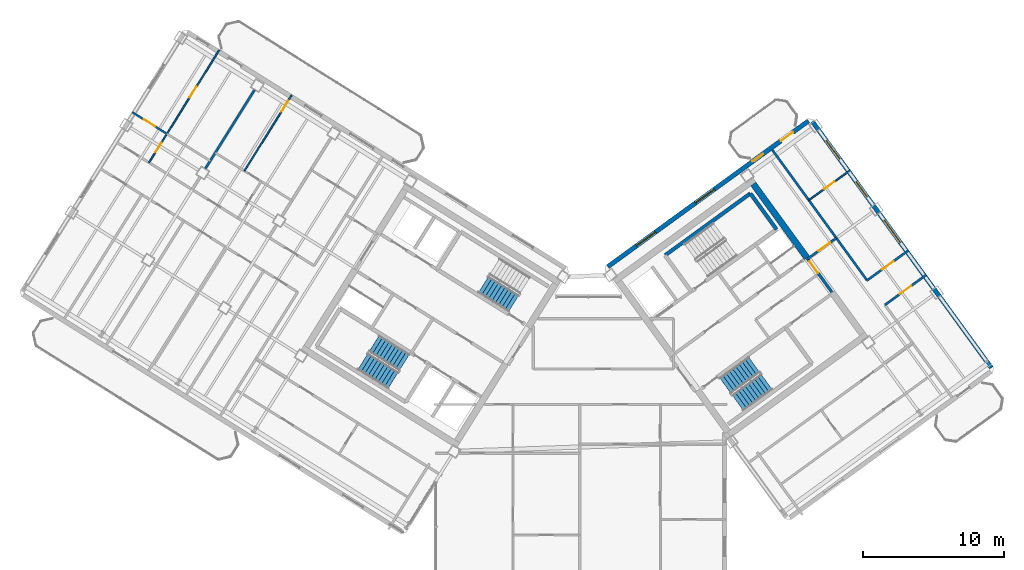
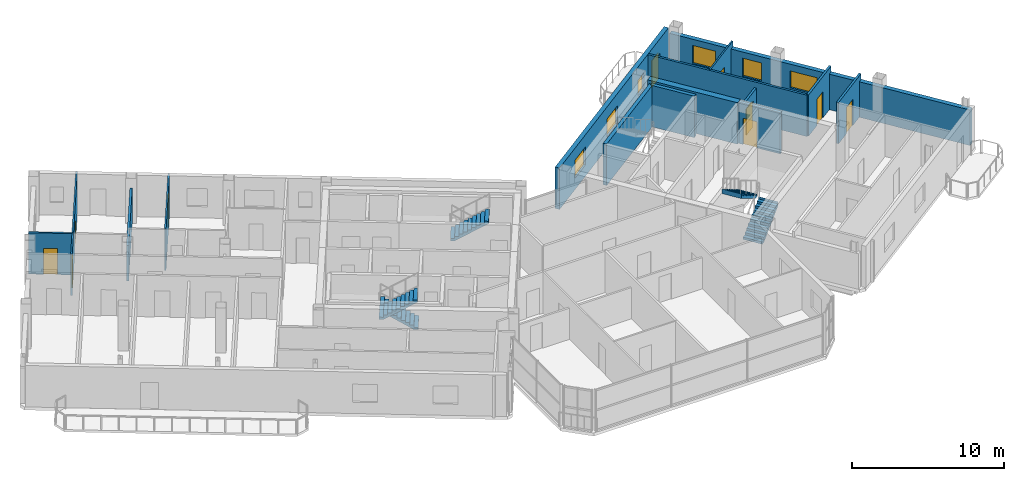
# One storey, part 20 of 25: 15 walls, 10 doors, 6 windows, 5 stair flights, 16 openings, 3 elements without a shape of their own.
"""IFC4 building model written with IfcOpenShell, lengths in metres."""

from ifc_helpers import new_model, si_unit, direction, frame, frame_2d, origin, place, context, subcontext, project, spatial, polyline, rectangle, outline, extrude, source, transform, mapped, material, layer, layer_set, type_object, element, fill, aggregate, save


model = new_model("IFC4")

# Units and contexts
model_context = context("Model", 3, precision=1e-05, world=origin(), true_north=direction((0.0, 1.0)))
body_context = subcontext(model_context, "Body", "Model", "MODEL_VIEW")
ifc_project = project(units=[si_unit("LENGTHUNIT", "METRE"), si_unit("AREAUNIT", "SQUARE_METRE"), si_unit("VOLUMEUNIT", "CUBIC_METRE"), si_unit("PLANEANGLEUNIT", "RADIAN"), si_unit("MASSUNIT", "GRAM", prefix="KILO")], contexts=[model_context])

# Site, building, storey
site_placement = place(None, origin())
site = spatial("IfcSite", under=ifc_project, at=site_placement, CompositionType="ELEMENT")
building_placement = place(site_placement, origin())
building = spatial("IfcBuilding", under=site, at=building_placement, Name="Tlacorven Tower", CompositionType="ELEMENT")
storey_placement = place(building_placement, frame((0.0, 0.0, 251.10009765625)))
storey = spatial("IfcBuildingStorey", under=building, at=storey_placement, Name="L63", CompositionType="ELEMENT", Elevation=251.10009765625)

# Walls
ifc_material_1 = material(Name="Concrete C50/60", Category="concrete")
ifc_layer_1 = layer(ifc_material_1, 0.449951171875)
ifc_layer_set_1 = layer_set([ifc_layer_1], Name="Concrete C50/60")
wall_type_1 = type_object("IfcWallType", Name="WL-COR-450", PredefinedType="SHEAR", material=ifc_layer_set_1)
wall_1_placement = place(storey_placement, frame((58.06396484375, 25.8134765625, 0.0), z_axis=(0.0, 0.0, 1.0), x_axis=(-0.587774812919, 0.809024578921, 0.0)))
element("IfcWall", 1, at=wall_1_placement, inside=storey, type_object=wall_type_1, Name="L63 E core end wall E2.2", PredefinedType="SHEAR", context=body_context, shape_type="SweptSolid", body=[
    extrude(rectangle(XDim=6.47509765625, YDim=0.449951171875, at=frame_2d((3.237548828125, 0.0))), origin(), (0.0, 0.0, 1.0), 3.31982421875),
])
ifc_material_2 = material(Name="Gypsum plasterboard acoustic partition", Category="gypsum")
ifc_layer_2 = layer(ifc_material_2, 0.159912109375)
ifc_layer_set_2 = layer_set([ifc_layer_2], Name="Gypsum plasterboard acoustic partition")
wall_type_2 = type_object("IfcWallType", Name="WL-DEM-160", PredefinedType="PARTITIONING", material=ifc_layer_set_2)
wall_2_placement = place(storey_placement, frame((18.881103515625, 37.727294921875, 0.0), z_axis=(0.0, 0.0, 1.0), x_axis=(-0.529938869374, -0.84803584519, 0.0)))
element("IfcWall", 2, at=wall_2_placement, inside=storey, type_object=wall_type_2, Name="L63 WS Demising Wall 2", PredefinedType="PARTITIONING", context=body_context, shape_type="SweptSolid", body=[
    extrude(rectangle(XDim=6.575927734375, YDim=0.159912109375, at=frame_2d((3.2880859375, 0.0))), origin(), (0.0, 0.0, 1.0), 2.844970703125),
])

# Wall, opening, door
wall_3_placement = place(storey_placement, frame((58.111083984375, 25.748779296875, 0.0), z_axis=(0.0, 0.0, 1.0), x_axis=(0.809000999347, 0.58780726693, 0.0)))
wall_3 = element("IfcWall", 3, at=wall_3_placement, inside=storey, type_object=wall_type_2, Name="L63 partition 79", PredefinedType="PARTITIONING", context=body_context, shape_type="SweptSolid", body=[
    extrude(rectangle(XDim=2.510009765625, YDim=0.159912109375, at=frame_2d((1.2548828125, 0.0))), origin(), (0.0, 0.0, 1.0), 2.844970703125),
])
opening_1_placement = place(wall_3_placement, frame((0.949951171875, 0.0, 0.0)))
opening_1 = element("IfcOpeningElement", 4, at=opening_1_placement, cuts=wall_3, Name="Opening D11", PredefinedType="OPENING", context=body_context, shape_type="SweptSolid", body=[
    extrude(rectangle(XDim=1.0, YDim=2.10009765625, at=frame_2d((0.5, 1.050048828125))), frame((0.0, 0.08984375, 0.0), z_axis=(0.0, -1.0, 0.0), x_axis=(1.0, 0.0, 0.0)), (0.0, 0.0, 1.0), 0.179931640625),
])
ifc_material_3 = material(Name="Fire-rated steel door assembly", Category="steel")
door_type_1 = type_object("IfcDoorType", Name="DR-FLT-FD60-1000", OperationType="NOTDEFINED", PredefinedType="DOOR", material=ifc_material_3)
shared_shape_1 = source(origin(), body_context, "Body", "SweptSolid", [
    extrude(rectangle(XDim=1.0, YDim=2.10009765625, at=frame_2d((0.5, 1.050048828125))), frame((0.0, 0.02490234375, 0.0), z_axis=(0.0, -1.0, 0.0), x_axis=(1.0, 0.0, 0.0)), (0.0, 0.0, 1.0), 0.050048828125),
])
door_1_placement = place(opening_1_placement, origin())
door_1 = element("IfcDoor", 5, at=door_1_placement, inside=storey, type_object=door_type_1, Name="L63 door 053", OperationType="SINGLE_SWING_LEFT", OverallHeight=2.10009765625, OverallWidth=1.0, PredefinedType="DOOR", context=body_context, shape_type="MappedRepresentation", body=[
    mapped(shared_shape_1, transform((0.0, 0.0, 0.0), scale=1.0)),
])
fill(opening_1, door_1)

# Wall
wall_4_placement = place(storey_placement, frame((62.328125, 24.214599609375, 0.0), z_axis=(0.0, 0.0, 1.0), x_axis=(-0.587778600963, 0.809021826807, 0.0)))
element("IfcWall", 6, at=wall_4_placement, inside=storey, type_object=wall_type_2, Name="L63 partition 81", PredefinedType="PARTITIONING", context=body_context, shape_type="SweptSolid", body=[
    extrude(rectangle(XDim=11.449951171875, YDim=0.159912109375, at=frame_2d((5.72509765625, 0.0))), origin(), (0.0, 0.0, 1.0), 3.309814453125),
])

# Wall, opening, door
wall_5_placement = place(storey_placement, frame((63.592041015625, 22.475341796875, 0.0), z_axis=(0.0, 0.0, 1.0), x_axis=(0.809035546126, 0.58775971715, 0.0)))
wall_5 = element("IfcWall", 7, at=wall_5_placement, inside=storey, type_object=wall_type_2, Name="L63 partition 83", PredefinedType="PARTITIONING", context=body_context, shape_type="SweptSolid", body=[
    extrude(rectangle(XDim=3.6298828125, YDim=0.159912109375, at=frame_2d((1.81494140625, 0.0))), origin(), (0.0, 0.0, 1.0), 3.309814453125),
])
opening_2_placement = place(wall_5_placement, frame((1.304931640625, 0.0, 0.0)))
opening_2 = element("IfcOpeningElement", 8, at=opening_2_placement, cuts=wall_5, Name="Opening D11", PredefinedType="OPENING", context=body_context, shape_type="SweptSolid", body=[
    extrude(rectangle(XDim=1.0, YDim=2.10009765625, at=frame_2d((0.5, 1.050048828125))), frame((0.0, 0.08984375, 0.0), z_axis=(0.0, -1.0, 0.0), x_axis=(1.0, 0.0, 0.0)), (0.0, 0.0, 1.0), 0.179931640625),
])
door_2_placement = place(opening_2_placement, origin())
door_2 = element("IfcDoor", 9, at=door_2_placement, inside=storey, type_object=door_type_1, Name="L63 door 057", OperationType="SINGLE_SWING_LEFT", OverallHeight=2.10009765625, OverallWidth=1.0, PredefinedType="DOOR", context=body_context, shape_type="MappedRepresentation", body=[
    mapped(shared_shape_1, transform((0.0, 0.0, 0.0), scale=1.0)),
])
fill(opening_2, door_2)

wall_6_placement = place(storey_placement, frame((62.328125, 24.214599609375, 0.0), z_axis=(0.0, 0.0, 1.0), x_axis=(0.809003564202, 0.587803736896, 0.0)))
wall_6 = element("IfcWall", 10, at=wall_6_placement, inside=storey, type_object=wall_type_2, Name="L63 partition 84", PredefinedType="PARTITIONING", context=body_context, shape_type="SweptSolid", body=[
    extrude(rectangle(XDim=3.630126953125, YDim=0.159912109375, at=frame_2d((1.81494140625, 0.0))), origin(), (0.0, 0.0, 1.0), 3.309814453125),
])
opening_3_placement = place(wall_6_placement, frame((1.304931640625, 0.0, 0.0)))
opening_3 = element("IfcOpeningElement", 11, at=opening_3_placement, cuts=wall_6, Name="Opening D11", PredefinedType="OPENING", context=body_context, shape_type="SweptSolid", body=[
    extrude(rectangle(XDim=1.0, YDim=2.10009765625, at=frame_2d((0.5, 1.050048828125))), frame((0.0, 0.08984375, 0.0), z_axis=(0.0, -1.0, 0.0), x_axis=(1.0, 0.0, 0.0)), (0.0, 0.0, 1.0), 0.179931640625),
])
door_3_placement = place(opening_3_placement, origin())
door_3 = element("IfcDoor", 12, at=door_3_placement, inside=storey, type_object=door_type_1, Name="L63 door 055", OperationType="SINGLE_SWING_LEFT", OverallHeight=2.10009765625, OverallWidth=1.0, PredefinedType="DOOR", context=body_context, shape_type="MappedRepresentation", body=[
    mapped(shared_shape_1, transform((0.0, 0.0, 0.0), scale=1.0)),
])
fill(opening_3, door_3)

# Wall, openings, door, windows
ifc_material_4 = material(Name="Precast concrete C45/55", Category="concrete")
ifc_layer_3 = layer(ifc_material_4, 0.320068359375)
ifc_layer_set_3 = layer_set([ifc_layer_3], Name="Precast concrete C45/55")
wall_type_3 = type_object("IfcWallType", Name="WL-EXT-320", PredefinedType="STANDARD", material=ifc_layer_set_3)
wall_7_placement = place(storey_placement, frame((43.93798828125, 25.191650390625, 0.0), z_axis=(0.0, 0.0, 1.0), x_axis=(0.809016324578, 0.587786174187, 0.0)))
wall_7 = element("IfcWall", 13, at=wall_7_placement, inside=storey, type_object=wall_type_3, Name="L63 Masonry-Frame Recessed Facade Wall 4", PredefinedType="STANDARD", context=body_context, shape_type="SweptSolid", body=[
    extrude(rectangle(XDim=17.58740234375, YDim=0.320068359375, at=frame_2d((8.793701171875, 0.0))), origin(), (0.0, 0.0, 1.0), 3.31982421875),
])
opening_4_placement = place(wall_7_placement, frame((15.17626953125, 0.0, 0.0)))
opening_4 = element("IfcOpeningElement", 14, at=opening_4_placement, cuts=wall_7, Name="Opening D06", PredefinedType="OPENING", context=body_context, shape_type="SweptSolid", body=[
    extrude(rectangle(XDim=1.050048828125, YDim=2.14990234375, at=frame_2d((0.52490234375, 1.074951171875))), frame((0.0, 0.169921875, 0.0), z_axis=(0.0, -1.0, 0.0), x_axis=(1.0, 0.0, 0.0)), (0.0, 0.0, 1.0), 0.340087890625),
])
opening_5_placement = place(wall_7_placement, frame((2.5224609375, 0.0, 0.89990234375)))
opening_5 = element("IfcOpeningElement", 15, at=opening_5_placement, cuts=wall_7, Name="Opening WN07", PredefinedType="OPENING", context=body_context, shape_type="SweptSolid", body=[
    extrude(rectangle(XDim=1.64990234375, YDim=1.449951171875, at=frame_2d((0.824951171875, 0.72509765625))), frame((0.0, 0.169921875, 0.0), z_axis=(0.0, -1.0, 0.0), x_axis=(1.0, 0.0, 0.0)), (0.0, 0.0, 1.0), 0.340087890625),
])
opening_6_placement = place(wall_7_placement, frame((7.6865234375, 0.0, 0.89990234375)))
opening_6 = element("IfcOpeningElement", 16, at=opening_6_placement, cuts=wall_7, Name="Opening WN07", PredefinedType="OPENING", context=body_context, shape_type="SweptSolid", body=[
    extrude(rectangle(XDim=1.64990234375, YDim=1.449951171875, at=frame_2d((0.824951171875, 0.72509765625))), frame((0.0, 0.169921875, 0.0), z_axis=(0.0, -1.0, 0.0), x_axis=(1.0, 0.0, 0.0)), (0.0, 0.0, 1.0), 0.340087890625),
])
opening_7_placement = place(wall_7_placement, frame((12.68359375, 0.0, 1.0)))
opening_7 = element("IfcOpeningElement", 17, at=opening_7_placement, cuts=wall_7, Name="Opening WN05", PredefinedType="OPENING", context=body_context, shape_type="SweptSolid", body=[
    extrude(rectangle(XDim=0.89990234375, YDim=1.25, at=frame_2d((0.449951171875, 0.625))), frame((0.0, 0.169921875, 0.0), z_axis=(0.0, -1.0, 0.0), x_axis=(1.0, 0.0, 0.0)), (0.0, 0.0, 1.0), 0.340087890625),
])
ifc_material_5 = material(Name="Powder-coated aluminium and timber door", Category="wood")
door_type_2 = type_object("IfcDoorType", Name="DR-EXT-BALC-1050", OperationType="NOTDEFINED", PredefinedType="DOOR", material=ifc_material_5)
shared_shape_2 = source(origin(), body_context, "Body", "SweptSolid", [
    extrude(rectangle(XDim=1.050048828125, YDim=2.14990234375, at=frame_2d((0.52490234375, 1.074951171875))), frame((0.0, 0.02490234375, 0.0), z_axis=(0.0, -1.0, 0.0), x_axis=(1.0, 0.0, 0.0)), (0.0, 0.0, 1.0), 0.050048828125),
])
door_4_placement = place(opening_4_placement, origin())
door_4 = element("IfcDoor", 18, at=door_4_placement, inside=storey, type_object=door_type_2, Name="L63 Outdoor Access Door BAL-L63-E-IN", OperationType="SINGLE_SWING_RIGHT", OverallHeight=2.14990234375, OverallWidth=1.050048828125, PredefinedType="DOOR", context=body_context, shape_type="MappedRepresentation", body=[
    mapped(shared_shape_2, transform((0.0, 0.0, 0.0), scale=1.0)),
])
fill(opening_4, door_4)
ifc_material_6 = material(Name="Dark solar low-E double glazing in anodised aluminium frame", Category="aluminium")
window_type_1 = type_object("IfcWindowType", Name="WN-APT-0900X1350", PartitioningType="SINGLE_PANEL", PredefinedType="WINDOW", material=ifc_material_6)
shared_shape_3 = source(origin(), body_context, "Body", "SweptSolid", [
    extrude(rectangle(XDim=0.89990234375, YDim=1.25, at=frame_2d((0.449951171875, 0.625))), frame((0.0, 0.030029296875, 0.0), z_axis=(0.0, -1.0, 0.0), x_axis=(1.0, 0.0, 0.0)), (0.0, 0.0, 1.0), 0.06005859375),
])
window_1_placement = place(opening_7_placement, origin())
window_1 = element("IfcWindow", 19, at=window_1_placement, inside=storey, type_object=window_type_1, Name="L63 Recessed Masonry-Frame Window L63-04.3", OverallHeight=1.25, OverallWidth=0.89990234375, PartitioningType="SINGLE_PANEL", PredefinedType="WINDOW", context=body_context, shape_type="MappedRepresentation", body=[
    mapped(shared_shape_3, transform((0.0, 0.0, 0.0), scale=1.0)),
])
fill(opening_7, window_1)
window_type_2 = type_object("IfcWindowType", Name="WN-APT-1650X1600", PartitioningType="SINGLE_PANEL", PredefinedType="WINDOW", material=ifc_material_6)
shared_shape_4 = source(origin(), body_context, "Body", "SweptSolid", [
    extrude(rectangle(XDim=1.64990234375, YDim=1.449951171875, at=frame_2d((0.824951171875, 0.72509765625))), frame((0.0, 0.030029296875, 0.0), z_axis=(0.0, -1.0, 0.0), x_axis=(1.0, 0.0, 0.0)), (0.0, 0.0, 1.0), 0.06005859375),
])
window_2_placement = place(opening_5_placement, origin())
window_2 = element("IfcWindow", 20, at=window_2_placement, inside=storey, type_object=window_type_2, Name="L63 Recessed Masonry-Frame Window L63-04.1", OverallHeight=1.449951171875, OverallWidth=1.64990234375, PartitioningType="SINGLE_PANEL", PredefinedType="WINDOW", context=body_context, shape_type="MappedRepresentation", body=[
    mapped(shared_shape_4, transform((0.0, 0.0, 0.0), scale=1.0)),
])
fill(opening_5, window_2)
window_3_placement = place(opening_6_placement, origin())
window_3 = element("IfcWindow", 21, at=window_3_placement, inside=storey, type_object=window_type_2, Name="L63 Recessed Masonry-Frame Window L63-04.2", OverallHeight=1.449951171875, OverallWidth=1.64990234375, PartitioningType="SINGLE_PANEL", PredefinedType="WINDOW", context=body_context, shape_type="MappedRepresentation", body=[
    mapped(shared_shape_4, transform((0.0, 0.0, 0.0), scale=1.0)),
])
fill(opening_6, window_3)

# Wall, openings, windows
wall_8_placement = place(storey_placement, frame((58.45458984375, 35.483642578125, 0.0), z_axis=(0.0, 0.0, 1.0), x_axis=(0.587783625747, -0.809018176127, 0.0)))
wall_8 = element("IfcWall", 22, at=wall_8_placement, inside=storey, type_object=wall_type_3, Name="L63 Masonry-Frame Recessed Facade Wall 5", PredefinedType="STANDARD", context=body_context, shape_type="SweptSolid", body=[
    extrude(rectangle(XDim=21.58740234375, YDim=0.320068359375, at=frame_2d((10.793701171875, 0.0))), origin(), (0.0, 0.0, 1.0), 2.844970703125),
])
opening_8_placement = place(wall_8_placement, frame((1.650146484375, 0.0, 0.89990234375)))
opening_8 = element("IfcOpeningElement", 23, at=opening_8_placement, cuts=wall_8, Name="Opening WN07", PredefinedType="OPENING", context=body_context, shape_type="SweptSolid", body=[
    extrude(rectangle(XDim=1.64990234375, YDim=1.449951171875, at=frame_2d((0.824951171875, 0.72509765625))), frame((0.0, 0.169921875, 0.0), z_axis=(0.0, -1.0, 0.0), x_axis=(1.0, 0.0, 0.0)), (0.0, 0.0, 1.0), 0.340087890625),
])
opening_9_placement = place(wall_8_placement, frame((5.255126953125, 0.0, 0.89990234375)))
opening_9 = element("IfcOpeningElement", 24, at=opening_9_placement, cuts=wall_8, Name="Opening WN08", PredefinedType="OPENING", context=body_context, shape_type="SweptSolid", body=[
    extrude(rectangle(XDim=1.35009765625, YDim=1.449951171875, at=frame_2d((0.675048828125, 0.72509765625))), frame((0.0, 0.169921875, 0.0), z_axis=(0.0, -1.0, 0.0), x_axis=(1.0, 0.0, 0.0)), (0.0, 0.0, 1.0), 0.340087890625),
])
opening_10_placement = place(wall_8_placement, frame((8.65380859375, 0.0, 0.949951171875)))
opening_10 = element("IfcOpeningElement", 25, at=opening_10_placement, cuts=wall_8, Name="Opening WN09", PredefinedType="OPENING", context=body_context, shape_type="SweptSolid", body=[
    extrude(rectangle(XDim=1.949951171875, YDim=1.35009765625, at=frame_2d((0.97509765625, 0.675048828125))), frame((0.0, 0.169921875, 0.0), z_axis=(0.0, -1.0, 0.0), x_axis=(1.0, 0.0, 0.0)), (0.0, 0.0, 1.0), 0.340087890625),
])
window_4_placement = place(opening_8_placement, origin())
window_4 = element("IfcWindow", 26, at=window_4_placement, inside=storey, type_object=window_type_2, Name="L63 Recessed Masonry-Frame Window L63-05.1", OverallHeight=1.449951171875, OverallWidth=1.64990234375, PartitioningType="SINGLE_PANEL", PredefinedType="WINDOW", context=body_context, shape_type="MappedRepresentation", body=[
    mapped(shared_shape_4, transform((0.0, 0.0, 0.0), scale=1.0)),
])
fill(opening_8, window_4)
window_type_3 = type_object("IfcWindowType", Name="WN-APT-1350X1550", PartitioningType="SINGLE_PANEL", PredefinedType="WINDOW", material=ifc_material_6)
shared_shape_5 = source(origin(), body_context, "Body", "SweptSolid", [
    extrude(rectangle(XDim=1.35009765625, YDim=1.449951171875, at=frame_2d((0.675048828125, 0.72509765625))), frame((0.0, 0.030029296875, 0.0), z_axis=(0.0, -1.0, 0.0), x_axis=(1.0, 0.0, 0.0)), (0.0, 0.0, 1.0), 0.06005859375),
])
window_5_placement = place(opening_9_placement, origin())
window_5 = element("IfcWindow", 27, at=window_5_placement, inside=storey, type_object=window_type_3, Name="L63 Recessed Masonry-Frame Window L63-05.2", OverallHeight=1.449951171875, OverallWidth=1.35009765625, PartitioningType="SINGLE_PANEL", PredefinedType="WINDOW", context=body_context, shape_type="MappedRepresentation", body=[
    mapped(shared_shape_5, transform((0.0, 0.0, 0.0), scale=1.0)),
])
fill(opening_9, window_5)
window_type_4 = type_object("IfcWindowType", Name="WN-GAL-1950X1450", PartitioningType="SINGLE_PANEL", PredefinedType="WINDOW", material=ifc_material_6)
shared_shape_6 = source(origin(), body_context, "Body", "SweptSolid", [
    extrude(rectangle(XDim=1.949951171875, YDim=1.35009765625, at=frame_2d((0.97509765625, 0.675048828125))), frame((0.0, 0.030029296875, 0.0), z_axis=(0.0, -1.0, 0.0), x_axis=(1.0, 0.0, 0.0)), (0.0, 0.0, 1.0), 0.06005859375),
])
window_6_placement = place(opening_10_placement, origin())
window_6 = element("IfcWindow", 28, at=window_6_placement, inside=storey, type_object=window_type_4, Name="L63 Recessed Masonry-Frame Window L63-05.3", OverallHeight=1.35009765625, OverallWidth=1.949951171875, PartitioningType="SINGLE_PANEL", PredefinedType="WINDOW", context=body_context, shape_type="MappedRepresentation", body=[
    mapped(shared_shape_6, transform((0.0, 0.0, 0.0), scale=1.0)),
])
fill(opening_10, window_6)

# Wall, opening, door
ifc_material_7 = material(Name="Gypsum plasterboard partition", Category="gypsum")
ifc_layer_4 = layer(ifc_material_7, 0.110107421875)
ifc_layer_set_4 = layer_set([ifc_layer_4], Name="Gypsum plasterboard partition")
wall_type_4 = type_object("IfcWallType", Name="WL-INT-110", PredefinedType="PARTITIONING", material=ifc_layer_set_4)
wall_9_placement = place(storey_placement, frame((21.516845703125, 37.356201171875, 0.0), z_axis=(0.0, 0.0, 1.0), x_axis=(-0.529905479715, -0.848056709524, 0.0)))
wall_9 = element("IfcWall", 29, at=wall_9_placement, inside=storey, type_object=wall_type_4, Name="L63 partition 52", PredefinedType="PARTITIONING", context=body_context, shape_type="SweptSolid", body=[
    extrude(rectangle(XDim=6.340087890625, YDim=0.110107421875, at=frame_2d((3.169921875, 0.0))), origin(), (0.0, 0.0, 1.0), 3.309814453125),
])
opening_11_placement = place(wall_9_placement, frame((0.469970703125, 0.0, 0.0)))
opening_11 = element("IfcOpeningElement", 30, at=opening_11_placement, cuts=wall_9, Name="Opening D12", PredefinedType="OPENING", context=body_context, shape_type="SweptSolid", body=[
    extrude(rectangle(XDim=0.919921875, YDim=2.080078125, at=frame_2d((0.4599609375, 1.0400390625))), frame((0.0, 0.06494140625, 0.0), z_axis=(0.0, -1.0, 0.0), x_axis=(1.0, 0.0, 0.0)), (0.0, 0.0, 1.0), 0.130126953125),
])
door_type_3 = type_object("IfcDoorType", Name="DR-INT-ROOM-0920", OperationType="NOTDEFINED", PredefinedType="DOOR", material=ifc_material_5)
shared_shape_7 = source(origin(), body_context, "Body", "SweptSolid", [
    extrude(rectangle(XDim=0.919921875, YDim=2.080078125, at=frame_2d((0.4599609375, 1.0400390625))), frame((0.0, 0.02490234375, 0.0), z_axis=(0.0, -1.0, 0.0), x_axis=(1.0, 0.0, 0.0)), (0.0, 0.0, 1.0), 0.050048828125),
])
door_5_placement = place(opening_11_placement, origin())
door_5 = element("IfcDoor", 31, at=door_5_placement, inside=storey, type_object=door_type_3, Name="L63 door 028", OperationType="SINGLE_SWING_RIGHT", OverallHeight=2.080078125, OverallWidth=0.919921875, PredefinedType="DOOR", context=body_context, shape_type="MappedRepresentation", body=[
    mapped(shared_shape_7, transform((0.0, 0.0, 0.0), scale=1.0)),
])
fill(opening_11, door_5)

# Wall, openings, doors
wall_10_placement = place(storey_placement, frame((16.384521484375, 40.563232421875, 0.0), z_axis=(0.0, 0.0, 1.0), x_axis=(-0.529931378574, -0.848040526156, 0.0)))
wall_10 = element("IfcWall", 32, at=wall_10_placement, inside=storey, type_object=wall_type_4, Name="L63 partition 53", PredefinedType="PARTITIONING", context=body_context, shape_type="SweptSolid", body=[
    extrude(rectangle(XDim=9.419921875, YDim=0.110107421875, at=frame_2d((4.7099609375, 0.0))), origin(), (0.0, 0.0, 1.0), 3.309814453125),
])
opening_12_placement = place(wall_10_placement, frame((7.780029296875, 0.0, 0.0)))
opening_12 = element("IfcOpeningElement", 33, at=opening_12_placement, cuts=wall_10, Name="Opening D22", PredefinedType="OPENING", context=body_context, shape_type="SweptSolid", body=[
    extrude(rectangle(XDim=0.780029296875, YDim=2.050048828125, at=frame_2d((0.39013671875, 1.02490234375))), frame((0.0, 0.06494140625, 0.0), z_axis=(0.0, -1.0, 0.0), x_axis=(1.0, 0.0, 0.0)), (0.0, 0.0, 1.0), 0.130126953125),
])
opening_13_placement = place(wall_10_placement, frame((3.050048828125, 0.0, 0.0)))
opening_13 = element("IfcOpeningElement", 34, at=opening_13_placement, cuts=wall_10, Name="Opening D12", PredefinedType="OPENING", context=body_context, shape_type="SweptSolid", body=[
    extrude(rectangle(XDim=0.919921875, YDim=2.080078125, at=frame_2d((0.4599609375, 1.0400390625))), frame((0.0, 0.06494140625, 0.0), z_axis=(0.0, -1.0, 0.0), x_axis=(1.0, 0.0, 0.0)), (0.0, 0.0, 1.0), 0.130126953125),
])
door_type_4 = type_object("IfcDoorType", Name="DR-INT-WET-0780", OperationType="NOTDEFINED", PredefinedType="DOOR", material=ifc_material_5)
shared_shape_8 = source(origin(), body_context, "Body", "SweptSolid", [
    extrude(rectangle(XDim=0.780029296875, YDim=2.050048828125, at=frame_2d((0.39013671875, 1.02490234375))), frame((0.0, 0.02490234375, 0.0), z_axis=(0.0, -1.0, 0.0), x_axis=(1.0, 0.0, 0.0)), (0.0, 0.0, 1.0), 0.050048828125),
])
door_6_placement = place(opening_12_placement, origin())
door_6 = element("IfcDoor", 35, at=door_6_placement, inside=storey, type_object=door_type_4, Name="L63 door 035", OperationType="SINGLE_SWING_LEFT", OverallHeight=2.050048828125, OverallWidth=0.780029296875, PredefinedType="DOOR", context=body_context, shape_type="MappedRepresentation", body=[
    mapped(shared_shape_8, transform((0.0, 0.0, 0.0), scale=1.0)),
])
fill(opening_12, door_6)
door_7_placement = place(opening_13_placement, origin())
door_7 = element("IfcDoor", 36, at=door_7_placement, inside=storey, type_object=door_type_3, Name="L63 door 036", OperationType="SINGLE_SWING_RIGHT", OverallHeight=2.080078125, OverallWidth=0.919921875, PredefinedType="DOOR", context=body_context, shape_type="MappedRepresentation", body=[
    mapped(shared_shape_7, transform((0.0, 0.0, 0.0), scale=1.0)),
])
fill(opening_13, door_7)

# Wall, opening, door
wall_11_placement = place(storey_placement, frame((58.19482421875, 29.903564453125, 0.0), z_axis=(0.0, 0.0, 1.0), x_axis=(0.809005039917, 0.58780170584, 0.0)))
wall_11 = element("IfcWall", 37, at=wall_11_placement, inside=storey, type_object=wall_type_4, Name="L63 partition 85", PredefinedType="PARTITIONING", context=body_context, shape_type="SweptSolid", body=[
    extrude(rectangle(XDim=3.610107421875, YDim=0.110107421875, at=frame_2d((1.80517578125, 0.0))), origin(), (0.0, 0.0, 1.0), 3.309814453125),
])
opening_14_placement = place(wall_11_placement, frame((1.344970703125, 0.0, 0.0)))
opening_14 = element("IfcOpeningElement", 38, at=opening_14_placement, cuts=wall_11, Name="Opening D12", PredefinedType="OPENING", context=body_context, shape_type="SweptSolid", body=[
    extrude(rectangle(XDim=0.919921875, YDim=2.080078125, at=frame_2d((0.4599609375, 1.0400390625))), frame((0.0, 0.06494140625, 0.0), z_axis=(0.0, -1.0, 0.0), x_axis=(1.0, 0.0, 0.0)), (0.0, 0.0, 1.0), 0.130126953125),
])
door_8_placement = place(opening_14_placement, origin())
door_8 = element("IfcDoor", 39, at=door_8_placement, inside=storey, type_object=door_type_3, Name="L63 door 056", OperationType="SINGLE_SWING_RIGHT", OverallHeight=2.080078125, OverallWidth=0.919921875, PredefinedType="DOOR", context=body_context, shape_type="MappedRepresentation", body=[
    mapped(shared_shape_7, transform((0.0, 0.0, 0.0), scale=1.0)),
])
fill(opening_14, door_8)

ifc_material_8 = material(Name="Moisture-resistant gypsum plumbing wall", Category="gypsum")
ifc_layer_5 = layer(ifc_material_8, 0.139892578125)
ifc_layer_set_5 = layer_set([ifc_layer_5], Name="Moisture-resistant gypsum plumbing wall")
wall_type_5 = type_object("IfcWallType", Name="WL-PLM-140", PredefinedType="PLUMBINGWALL", material=ifc_layer_set_5)
wall_12_placement = place(storey_placement, frame((12.66455078125, 34.60986328125, 0.0), z_axis=(0.0, 0.0, 1.0), x_axis=(-0.848045593671, 0.529923269025, 0.0)))
wall_12 = element("IfcWall", 40, at=wall_12_placement, inside=storey, type_object=wall_type_5, Name="L63 partition 55", PredefinedType="PLUMBINGWALL", context=body_context, shape_type="SweptSolid", body=[
    extrude(rectangle(XDim=2.900146484375, YDim=0.139892578125, at=frame_2d((1.4501953125, 0.0))), origin(), (0.0, 0.0, 1.0), 3.309814453125),
])
opening_15_placement = place(wall_12_placement, frame((0.989990234375, 0.0, 0.0)))
opening_15 = element("IfcOpeningElement", 41, at=opening_15_placement, cuts=wall_12, Name="Opening D12", PredefinedType="OPENING", context=body_context, shape_type="SweptSolid", body=[
    extrude(rectangle(XDim=0.919921875, YDim=2.080078125, at=frame_2d((0.4599609375, 1.0400390625))), frame((0.0, 0.080078125, 0.0), z_axis=(0.0, -1.0, 0.0), x_axis=(1.0, 0.0, 0.0)), (0.0, 0.0, 1.0), 0.159912109375),
])
door_9_placement = place(opening_15_placement, origin())
door_9 = element("IfcDoor", 42, at=door_9_placement, inside=storey, type_object=door_type_3, Name="L63 door 034", OperationType="SINGLE_SWING_LEFT", OverallHeight=2.080078125, OverallWidth=0.919921875, PredefinedType="DOOR", context=body_context, shape_type="MappedRepresentation", body=[
    mapped(shared_shape_7, transform((0.0, 0.0, 0.0), scale=1.0)),
])
fill(opening_15, door_9)

ifc_material_9 = material(Name="Concrete C40/50", Category="concrete")
ifc_layer_6 = layer(ifc_material_9, 0.199951171875)
ifc_layer_set_6 = layer_set([ifc_layer_6], Name="Concrete C40/50")
wall_type_6 = type_object("IfcWallType", Name="WL-SHF-200", PredefinedType="STANDARD", material=ifc_layer_set_6)
wall_13_placement = place(storey_placement, frame((59.827392578125, 23.386474609375, 0.0), z_axis=(0.0, 0.0, 1.0), x_axis=(-0.587803840107, 0.809003489211, 0.0)))
wall_13 = element("IfcWall", 43, at=wall_13_placement, inside=storey, type_object=wall_type_6, Name="L63 partition 77", PredefinedType="STANDARD", context=body_context, shape_type="SweptSolid", body=[
    extrude(rectangle(XDim=2.960205078125, YDim=0.199951171875, at=frame_2d((1.47998046875, 0.0))), origin(), (0.0, 0.0, 1.0), 3.309814453125),
])
opening_16_placement = place(wall_13_placement, frame((1.679931640625, 0.0, 0.0)))
opening_16 = element("IfcOpeningElement", 44, at=opening_16_placement, cuts=wall_13, Name="Opening D11", PredefinedType="OPENING", context=body_context, shape_type="SweptSolid", body=[
    extrude(rectangle(XDim=1.0, YDim=2.10009765625, at=frame_2d((0.5, 1.050048828125))), frame((0.0, 0.10986328125, 0.0), z_axis=(0.0, -1.0, 0.0), x_axis=(1.0, 0.0, 0.0)), (0.0, 0.0, 1.0), 0.219970703125),
])
door_10_placement = place(opening_16_placement, origin())
door_10 = element("IfcDoor", 45, at=door_10_placement, inside=storey, type_object=door_type_1, Name="L63 door 054", OperationType="SINGLE_SWING_RIGHT", OverallHeight=2.10009765625, OverallWidth=1.0, PredefinedType="DOOR", context=body_context, shape_type="MappedRepresentation", body=[
    mapped(shared_shape_1, transform((0.0, 0.0, 0.0), scale=1.0)),
])
fill(opening_16, door_10)

# Walls
ifc_layer_7 = layer(ifc_material_1, 0.260009765625)
ifc_layer_set_7 = layer_set([ifc_layer_7], Name="Concrete C50/60")
wall_type_7 = type_object("IfcWallType", Name="WL-STW-260", PredefinedType="SHEAR", material=ifc_layer_set_7)
wall_14_placement = place(storey_placement, frame((48.005615234375, 25.996337890625, 0.0), z_axis=(0.0, 0.0, 1.0), x_axis=(0.80901903764, 0.587782439969, 0.0)))
element("IfcWall", 46, at=wall_14_placement, inside=storey, type_object=wall_type_7, Name="L63 Stair E1 Far Shear Wall", PredefinedType="SHEAR", context=body_context, shape_type="SweptSolid", body=[
    extrude(rectangle(XDim=7.4599609375, YDim=0.260009765625, at=frame_2d((3.72998046875, 0.0))), origin(), (0.0, 0.0, 1.0), 3.31982421875),
])
wall_15_placement = place(storey_placement, frame((55.906494140625, 27.83056640625, 0.0), z_axis=(0.0, 0.0, 1.0), x_axis=(-0.587804123638, 0.809003283204, 0.0)))
element("IfcWall", 47, at=wall_15_placement, inside=storey, type_object=wall_type_7, Name="L63 Stair E1 East Shear Wall", PredefinedType="SHEAR", context=body_context, shape_type="SweptSolid", body=[
    extrude(rectangle(XDim=3.159912109375, YDim=0.260009765625, at=frame_2d((1.580078125, 0.0))), origin(), (0.0, 0.0, 1.0), 3.31982421875),
])

# Stair, stair flights
stair_type = type_object("IfcStairType", Name="ST-CORE-DLG", PredefinedType="HALF_TURN_STAIR", material=ifc_material_9)
stair_1_placement = place(storey_placement, origin())
stair_1 = element("IfcStair", 48, at=stair_1_placement, inside=storey, type_object=stair_type, Name="L63 Protected Exit Stair West 1", PredefinedType="HALF_TURN_STAIR")
stair_flight_type = type_object("IfcStairFlightType", Name="SFL-RC-1380", PredefinedType="STRAIGHT", material=ifc_material_9)
shared_shape_9 = source(origin(), body_context, "Body", "SweptSolid", [
    extrude(outline(polyline([(-0.0029296875, -0.0029296875), (-0.0029296875, 0.179931640625), (0.280029296875, 0.179931640625), (0.280029296875, 0.360107421875), (0.56005859375, 0.360107421875), (0.56005859375, 0.5400390625), (0.840087890625, 0.5400390625), (0.840087890625, 0.719970703125), (1.1201171875, 0.719970703125), (1.1201171875, 0.89990234375), (1.39990234375, 0.89990234375), (1.39990234375, 1.080078125), (1.679931640625, 1.080078125), (1.679931640625, 1.260009765625), (1.9599609375, 1.260009765625), (1.9599609375, 1.43994140625), (2.239990234375, 1.43994140625), (2.239990234375, 1.6201171875), (2.52001953125, 1.6201171875), (2.52001953125, 1.800048828125), (2.52294921875, 1.800048828125), (2.52294921875, 1.429931640625), (2.52001953125, 1.429931640625), (0.295654296875, 0.0), (0.295654296875, -0.0029296875), (-0.0029296875, -0.0029296875)])), frame((0.0, 0.68994140625, 0.0), z_axis=(0.0, -1.0, 0.0), x_axis=(1.0, 0.0, 0.0)), (0.0, 0.0, 1.0), 1.3798828125),
])
stair_flight_1_placement = place(storey_placement, frame((29.499755859375, 18.39453125, 0.0), z_axis=(0.0, 0.0, 1.0), x_axis=(-0.848048096156, 0.529919264233, 0.0)))
stair_flight_1 = element("IfcStairFlight", 49, at=stair_flight_1_placement, type_object=stair_flight_type, Name="ST-W1 flight 1", NumberOfRisers=10, NumberOfTreads=9, PredefinedType="STRAIGHT", RiserHeight=0.18, TreadLength=0.28, context=body_context, shape_type="MappedRepresentation", body=[
    mapped(shared_shape_9, transform((0.0, 0.0, 0.0), scale=1.0)),
])
stair_flight_2_placement = place(storey_placement, frame((26.56787109375, 18.4580078125, 1.7998046875), z_axis=(0.0, 0.0, 1.0), x_axis=(0.848048096156, -0.529919264233, 0.0)))
stair_flight_2 = element("IfcStairFlight", 50, at=stair_flight_2_placement, type_object=stair_flight_type, Name="ST-W1 flight 2", NumberOfRisers=10, NumberOfTreads=9, PredefinedType="STRAIGHT", RiserHeight=0.18, TreadLength=0.28, context=body_context, shape_type="MappedRepresentation", body=[
    mapped(shared_shape_9, transform((0.0, 0.0, 0.0), scale=1.0)),
])
aggregate(stair_1, [stair_flight_1, stair_flight_2])

# Stair, stair flight
stair_2_placement = place(storey_placement, origin())
stair_2 = element("IfcStair", 51, at=stair_2_placement, inside=storey, type_object=stair_type, Name="L63 Protected Exit Stair West 2", PredefinedType="HALF_TURN_STAIR")
stair_flight_3_placement = place(storey_placement, frame((35.119384765625, 23.91552734375, 1.7998046875), z_axis=(0.0, 0.0, 1.0), x_axis=(0.848048096156, -0.529919264233, 0.0)))
stair_flight_3 = element("IfcStairFlight", 52, at=stair_flight_3_placement, type_object=stair_flight_type, Name="ST-W2 flight 2", NumberOfRisers=10, NumberOfTreads=9, PredefinedType="STRAIGHT", RiserHeight=0.18, TreadLength=0.28, context=body_context, shape_type="MappedRepresentation", body=[
    mapped(shared_shape_9, transform((0.0, 0.0, 0.0), scale=1.0)),
])
aggregate(stair_2, [stair_flight_3])

# Stair, stair flights
stair_3_placement = place(storey_placement, origin())
stair_3 = element("IfcStair", 53, at=stair_3_placement, inside=storey, type_object=stair_type, Name="L63 Protected Exit Stair East 2", PredefinedType="HALF_TURN_STAIR")
stair_flight_4_placement = place(storey_placement, frame((53.157470703125, 15.536865234375, 0.0), z_axis=(0.0, 0.0, 1.0), x_axis=(0.809016994375, 0.587785252292, 0.0)))
stair_flight_4 = element("IfcStairFlight", 54, at=stair_flight_4_placement, type_object=stair_flight_type, Name="ST-E2 flight 1", NumberOfRisers=10, NumberOfTreads=9, PredefinedType="STRAIGHT", RiserHeight=0.18, TreadLength=0.28, context=body_context, shape_type="MappedRepresentation", body=[
    mapped(shared_shape_9, transform((0.0, 0.0, 0.0), scale=1.0)),
])
stair_flight_5_placement = place(storey_placement, frame((54.314453125, 18.231689453125, 1.7998046875), z_axis=(0.0, 0.0, 1.0), x_axis=(-0.809016994375, -0.587785252292, 0.0)))
stair_flight_5 = element("IfcStairFlight", 55, at=stair_flight_5_placement, type_object=stair_flight_type, Name="ST-E2 flight 2", NumberOfRisers=10, NumberOfTreads=9, PredefinedType="STRAIGHT", RiserHeight=0.18, TreadLength=0.28, context=body_context, shape_type="MappedRepresentation", body=[
    mapped(shared_shape_9, transform((0.0, 0.0, 0.0), scale=1.0)),
])
aggregate(stair_3, [stair_flight_4, stair_flight_5])

save(model, "model.ifc")
